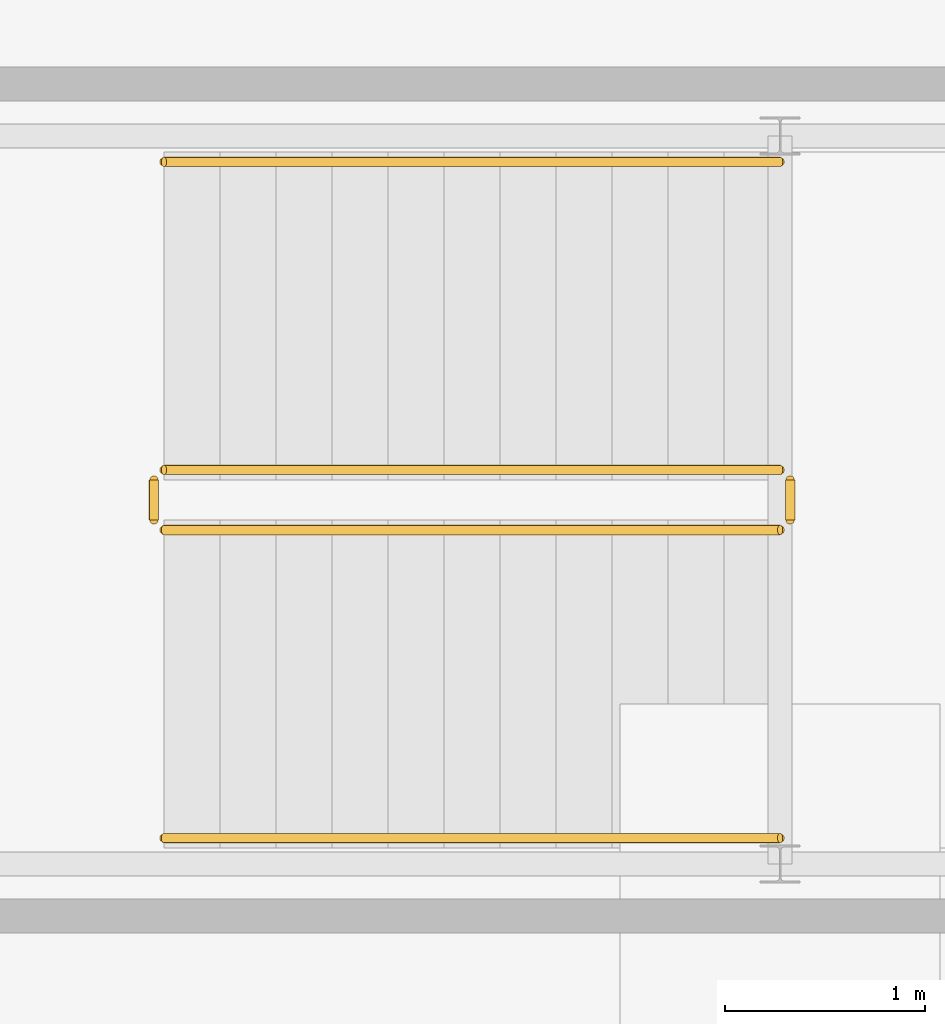
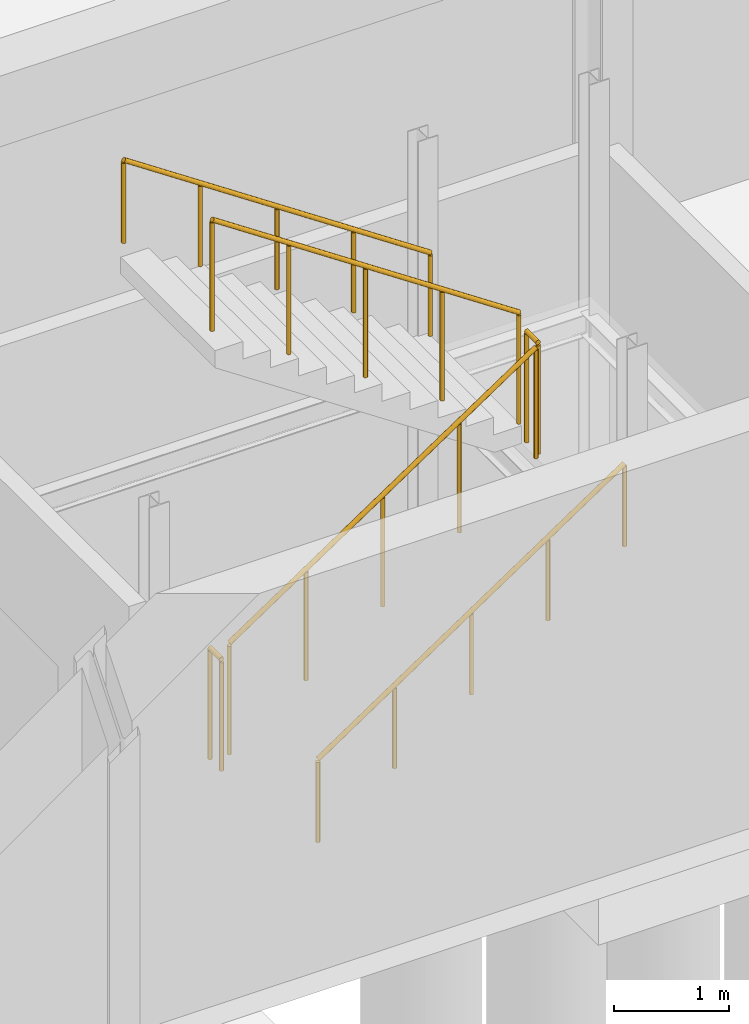
# One storey, part 46 of 47: 6 railings.
"""IFC4 building model written with IfcOpenShell, lengths in metres."""

import ifcopenshell
import ifcopenshell.guid

model = None  # the IFC model being written
_history = None  # IfcOwnerHistory: only IFC2X3 demands one
_inside = {}  # id of a spatial element -> (the spatial element, [elements in it])
_under = {}  # id of a project, library or spatial element -> (it, [spatial elements below it])
_declared = {}  # id of a project -> (the project, [libraries it declares])
_typed = {}  # id of a type object -> (the type object, [elements of that type])
_made_of = {}  # id of a material, layer set ... -> (it, [elements and type objects made of it])


def new_model(schema):
    """Start an empty IFC model of exactly this schema.

    Asked for "IFC4X3", IfcOpenShell would pick the latest addendum, in which some entities
    have other attributes; the version numbers below select the first issue.
    IFC2X3 requires an IfcOwnerHistory on every rooted entity: one is made here for all.
    """
    global model, _history
    if schema == "IFC4X3":
        model = ifcopenshell.file(schema_version=(4, 3, 0, 0))
    else:
        model = ifcopenshell.file(schema=schema)
    _inside.clear()
    _under.clear()
    _declared.clear()
    _typed.clear()
    _made_of.clear()
    _history = None
    if model.schema == "IFC2X3":
        org = make("IfcOrganization", Name="unknown")
        user = make(
            "IfcPersonAndOrganization",
            ThePerson=make("IfcPerson", FamilyName="unknown"),
            TheOrganization=org,
        )
        app = make(
            "IfcApplication",
            ApplicationDeveloper=org,
            Version="unknown",
            ApplicationFullName="unknown",
            ApplicationIdentifier="unknown",
        )
        _history = make(
            "IfcOwnerHistory",
            OwningUser=user,
            OwningApplication=app,
            ChangeAction="ADDED",
            CreationDate=0,
        )
    return model


def make(cls, **values):
    """One entity of the class cls with the attributes given. An attribute that is None is left unset."""
    return model.create_entity(
        cls, **{name: value for name, value in values.items() if value is not None}
    )


def rooted(cls, **values):
    """An entity with a GlobalId (a new one), such as an element, a storey or a relation."""
    return make(cls, GlobalId=ifcopenshell.guid.new(), OwnerHistory=_history, **values)


def si_unit(unit_type, name, prefix=None):
    """IfcSIUnit, for example si_unit("LENGTHUNIT", "METRE", prefix="MILLI")."""
    return make("IfcSIUnit", UnitType=unit_type, Prefix=prefix, Name=name)


def assignment(units):
    """IfcUnitAssignment: the units of a project."""
    return None if units is None else make("IfcUnitAssignment", Units=units)


def point(xyz):
    """IfcCartesianPoint."""
    return None if xyz is None else make("IfcCartesianPoint", Coordinates=xyz)


def direction(xyz):
    """IfcDirection."""
    return None if xyz is None else make("IfcDirection", DirectionRatios=xyz)


def frame(location, z_axis=None, x_axis=None):
    """IfcAxis2Placement3D, a coordinate frame: its origin and axes. An axis left out is left unset."""
    return make(
        "IfcAxis2Placement3D",
        Location=point(location),
        Axis=direction(z_axis),
        RefDirection=direction(x_axis),
    )


def frame_2d(location, x_axis=None):
    """IfcAxis2Placement2D, a coordinate frame in the plane: its origin and x axis."""
    return make(
        "IfcAxis2Placement2D", Location=point(location), RefDirection=direction(x_axis)
    )


def origin():
    """The frame at (0, 0, 0) with its axes left unset."""
    return frame((0.0, 0.0, 0.0))


def origin_2d():
    """The frame at (0, 0) in the plane with its x axis left unset."""
    return frame_2d((0.0, 0.0))


def place(relative_to, where):
    """IfcLocalPlacement: puts the frame where relative to a parent placement (None: the world)."""
    return make(
        "IfcLocalPlacement", PlacementRelTo=relative_to, RelativePlacement=where
    )


def context(
    kind, dimensions, precision=None, world=None, true_north=None, identifier=None
):
    """IfcGeometricRepresentationContext, for example the 3D "Model" context."""
    return make(
        "IfcGeometricRepresentationContext",
        ContextIdentifier=identifier,
        ContextType=kind,
        CoordinateSpaceDimension=dimensions,
        Precision=precision,
        WorldCoordinateSystem=world,
        TrueNorth=true_north,
    )


def subcontext(parent, identifier, kind, view, scale=None):
    """IfcGeometricRepresentationSubContext, for example "Body" below "Model"."""
    return make(
        "IfcGeometricRepresentationSubContext",
        ContextIdentifier=identifier,
        ContextType=kind,
        ParentContext=parent,
        TargetScale=scale,
        TargetView=view,
    )


def project(units=None, contexts=None):
    """IfcProject with its units and contexts."""
    return rooted(
        "IfcProject",
        Name="project",
        RepresentationContexts=contexts,
        UnitsInContext=assignment(units),
    )


def spatial(cls, under=None, at=None, **own):
    """A site, building, storey or space (cls), placed at a placement, below another one or the project."""
    s = rooted(cls, ObjectPlacement=at, **own)
    if under is not None:
        _under.setdefault(under.id(), (under, []))[1].append(s)
    return s


def profile(cls, at=None, kind="AREA", **sizes):
    """A parametric profile (cls). Its sizes go by their IFC names, for example OverallWidth=200.0."""
    return make(cls, ProfileType=kind, Position=at, **sizes)


def circle(**sizes):
    """IfcCircleProfileDef."""
    return profile("IfcCircleProfileDef", **sizes)


def extrude(swept, where, along, depth):
    """IfcExtrudedAreaSolid: the profile swept, set in the frame where, extruded along a direction by depth."""
    return make(
        "IfcExtrudedAreaSolid",
        SweptArea=swept,
        Position=where,
        ExtrudedDirection=direction(along),
        Depth=depth,
    )


def shape(context_of_items, identifier, shape_type, items):
    """IfcShapeRepresentation: the items that make up one representation, for example the "Body"."""
    return make(
        "IfcShapeRepresentation",
        ContextOfItems=context_of_items,
        RepresentationIdentifier=identifier,
        RepresentationType=shape_type,
        Items=items,
    )


def material(Name=None, Category=None):
    """IfcMaterial."""
    return make("IfcMaterial", Name=Name, Category=Category)


def made_of(thing, what):
    """Note that an element or type object is made of a material, layer set ...; save() writes the relation."""
    if what is not None:
        _made_of.setdefault(what.id(), (what, []))[1].append(thing)
    return thing


def type_object(cls, material=None, **own):
    """A type object (cls), such as IfcWallType, which elements share."""
    return made_of(rooted(cls, **own), material)


def element(
    cls,
    number,
    at=None,
    inside=None,
    cuts=None,
    type_object=None,
    material=None,
    context=None,
    identifier="Body",
    shape_type=None,
    held_by="IfcProductDefinitionShape",
    body=None,
    shapes=None,
    **own,
):
    """One element of the class cls, such as IfcWall. Its Tag is "e" and its number.

    at: its placement. inside: the storey or other place that contains it. cuts: it is an
    opening in that element (IfcRelVoidsElement). A single representation is given by context,
    identifier, shape_type and body (its items); several are given by shapes. held_by: the class
    of the entity that holds the representations. save() writes the other relations.
    """
    e = rooted(cls, Tag="e%d" % number, ObjectPlacement=at, **own)
    if body is not None:
        shapes = [shape(context, identifier, shape_type, body)]
    if shapes is not None:
        e.Representation = make(held_by, Representations=shapes)
    if inside is not None:
        _inside.setdefault(inside.id(), (inside, []))[1].append(e)
    if cuts is not None:
        rooted(
            "IfcRelVoidsElement", RelatingBuildingElement=cuts, RelatedOpeningElement=e
        )
    if type_object is not None:
        _typed.setdefault(type_object.id(), (type_object, []))[1].append(e)
    return made_of(e, material)


def aggregate(whole, parts):
    """IfcRelAggregates: a whole, such as a stair, and the parts it consists of."""
    return rooted("IfcRelAggregates", RelatingObject=whole, RelatedObjects=parts)


def save(model, path):
    """Write the relations noted so far, then the file.

    IfcRelAggregates (storeys below a building ...), IfcRelContainedInSpatialStructure (elements
    in a storey), IfcRelDefinesByType, IfcRelAssociatesMaterial and IfcRelDeclares: one each for
    every whole, place, type object, material and project.
    """
    for whole, parts in _under.values():
        aggregate(whole, parts)
    for where, things in _inside.values():
        rooted(
            "IfcRelContainedInSpatialStructure",
            RelatedElements=things,
            RelatingStructure=where,
        )
    for kind, things in _typed.values():
        rooted("IfcRelDefinesByType", RelatedObjects=things, RelatingType=kind)
    for what, things in _made_of.values():
        rooted("IfcRelAssociatesMaterial", RelatedObjects=things, RelatingMaterial=what)
    for by, libraries in _declared.values():
        rooted("IfcRelDeclares", RelatingContext=by, RelatedDefinitions=libraries)
    model.write(path)


model = new_model("IFC4")

# Units and contexts
model_context = context("Model", 3, precision=1e-05, world=origin(), true_north=direction((0.0, 1.0)))
body_context = subcontext(model_context, "Body", "Model", "MODEL_VIEW")
ifc_project = project(units=[si_unit("LENGTHUNIT", "METRE"), si_unit("AREAUNIT", "SQUARE_METRE"), si_unit("VOLUMEUNIT", "CUBIC_METRE"), si_unit("PLANEANGLEUNIT", "RADIAN"), si_unit("MASSUNIT", "GRAM", prefix="KILO")], contexts=[model_context])

# Site, building, storey
site_placement = place(None, origin())
site = spatial("IfcSite", under=ifc_project, at=site_placement, CompositionType="ELEMENT")
building_placement = place(site_placement, origin())
building = spatial("IfcBuilding", under=site, at=building_placement, Name="Alderhovde Museum", CompositionType="ELEMENT")
storey_placement = place(building_placement, frame((0.0, 0.0, -4.5)))
storey = spatial("IfcBuildingStorey", under=building, at=storey_placement, Name="B1", CompositionType="ELEMENT", Elevation=-4.5)

# Railings
ifc_material_1 = material(Name="Painted Steel S355 Guardrail", Category="steel")
railing_type_1 = type_object("IfcRailingType", Name="RL-GUARD-1200", PredefinedType="GUARDRAIL", material=ifc_material_1)
railing_1_placement = place(storey_placement, frame((156.43994140625, 34.7900390625, 0.1875)))
element("IfcRailing", 1, at=railing_1_placement, inside=storey, type_object=railing_type_1, Name="B1 ST7 stair guard 1", PredefinedType="GUARDRAIL", context=body_context, shape_type="SweptSolid", body=[
    extrude(circle(Radius=0.02392578125, at=origin_2d()), frame((0.0, 0.0, 1.17578125), z_axis=(0.830913701846, 0.0, 0.55640131208), x_axis=(0.0, 1.0, 0.0)), (0.0, 0.0, 1.0), 3.706787109375),
    extrude(circle(Radius=0.02099609375, at=origin_2d()), origin(), (0.0, 0.0, 1.0), 1.15185546875),
    extrude(circle(Radius=0.02099609375, at=origin_2d()), frame((0.77001953125, 0.0, 0.515625)), (0.0, 0.0, 1.0), 1.15185546875),
    extrude(circle(Radius=0.02099609375, at=origin_2d()), frame((1.5400390625, 0.0, 1.03125)), (0.0, 0.0, 1.0), 1.15185546875),
    extrude(circle(Radius=0.02099609375, at=origin_2d()), frame((2.31005859375, 0.0, 1.546875)), (0.0, 0.0, 1.0), 1.15185546875),
    extrude(circle(Radius=0.02099609375, at=origin_2d()), frame((3.080078125, 0.0, 2.0625)), (0.0, 0.0, 1.0), 1.15185546875),
])
railing_2_placement = place(storey_placement, frame((159.570068359375, 34.840087890625, 2.25)))
element("IfcRailing", 2, at=railing_2_placement, inside=storey, type_object=railing_type_1, Name="B1 ST7 stair guard 2", PredefinedType="GUARDRAIL", context=body_context, shape_type="SweptSolid", body=[
    extrude(circle(Radius=0.02392578125, at=origin_2d()), frame((0.0, 0.0, 1.17578125), z_axis=(0.0, 1.0, 0.0), x_axis=(-1.0, 0.0, 0.0)), (0.0, 0.0, 1.0), 0.199951171875),
    extrude(circle(Radius=0.02099609375, at=origin_2d()), origin(), (0.0, 0.0, 1.0), 1.15185546875),
    extrude(circle(Radius=0.02099609375, at=origin_2d()), frame((0.0, 0.199951171875, 0.0)), (0.0, 0.0, 1.0), 1.15185546875),
])
railing_3_placement = place(storey_placement, frame((159.52001953125, 35.090087890625, 2.4375)))
element("IfcRailing", 3, at=railing_3_placement, inside=storey, type_object=railing_type_1, Name="B1 ST7 stair guard 3", PredefinedType="GUARDRAIL", context=body_context, shape_type="SweptSolid", body=[
    extrude(circle(Radius=0.02392578125, at=origin_2d()), frame((0.0, 0.0, 1.17578125), z_axis=(-0.830913701846, 0.0, 0.55640131208), x_axis=(0.0, -1.0, 0.0)), (0.0, 0.0, 1.0), 3.706787109375),
    extrude(circle(Radius=0.02099609375, at=origin_2d()), origin(), (0.0, 0.0, 1.0), 1.15185546875),
    extrude(circle(Radius=0.02099609375, at=origin_2d()), frame((-0.77001953125, 0.0, 0.515625)), (0.0, 0.0, 1.0), 1.15185546875),
    extrude(circle(Radius=0.02099609375, at=origin_2d()), frame((-1.5400390625, 0.0, 1.03125)), (0.0, 0.0, 1.0), 1.15185546875),
    extrude(circle(Radius=0.02099609375, at=origin_2d()), frame((-2.31005859375, 0.0, 1.546875)), (0.0, 0.0, 1.0), 1.15185546875),
    extrude(circle(Radius=0.02099609375, at=origin_2d()), frame((-3.080078125, 0.0, 2.0625)), (0.0, 0.0, 1.0), 1.15185546875),
])
railing_4_placement = place(storey_placement, frame((156.389892578125, 34.840087890625, 0.0)))
element("IfcRailing", 4, at=railing_4_placement, inside=storey, type_object=railing_type_1, Name="B1 ST7 stair guard 4", PredefinedType="GUARDRAIL", context=body_context, shape_type="SweptSolid", body=[
    extrude(circle(Radius=0.02392578125, at=origin_2d()), frame((0.0, 0.0, 1.17578125), z_axis=(0.0, 1.0, 0.0), x_axis=(-1.0, 0.0, 0.0)), (0.0, 0.0, 1.0), 0.199951171875),
    extrude(circle(Radius=0.02099609375, at=origin_2d()), origin(), (0.0, 0.0, 1.0), 1.15185546875),
    extrude(circle(Radius=0.02099609375, at=origin_2d()), frame((0.0, 0.199951171875, 0.0)), (0.0, 0.0, 1.0), 1.15185546875),
])
ifc_material_2 = material(Name="Brushed Stainless Steel Handrail", Category="steel")
railing_type_2 = type_object("IfcRailingType", Name="RL-HANDRAIL-900", PredefinedType="HANDRAIL", material=ifc_material_2)
railing_5_placement = place(storey_placement, frame((156.43994140625, 33.25, 0.1875)))
element("IfcRailing", 5, at=railing_5_placement, inside=storey, type_object=railing_type_2, Name="B1 ST7 stair handrail 1", PredefinedType="HANDRAIL", context=body_context, shape_type="SweptSolid", body=[
    extrude(circle(Radius=0.02392578125, at=origin_2d()), frame((0.0, 0.0, 0.8759765625), z_axis=(0.830913701846, 0.0, 0.55640131208), x_axis=(0.0, 1.0, 0.0)), (0.0, 0.0, 1.0), 3.706787109375),
    extrude(circle(Radius=0.02099609375, at=origin_2d()), origin(), (0.0, 0.0, 1.0), 0.851806640625),
    extrude(circle(Radius=0.02099609375, at=origin_2d()), frame((0.77001953125, 0.0, 0.515625)), (0.0, 0.0, 1.0), 0.851806640625),
    extrude(circle(Radius=0.02099609375, at=origin_2d()), frame((1.5400390625, 0.0, 1.03125)), (0.0, 0.0, 1.0), 0.851806640625),
    extrude(circle(Radius=0.02099609375, at=origin_2d()), frame((2.31005859375, 0.0, 1.546875)), (0.0, 0.0, 1.0), 0.851806640625),
    extrude(circle(Radius=0.02099609375, at=origin_2d()), frame((3.080078125, 0.0, 2.0625)), (0.0, 0.0, 1.0), 0.851806640625),
])
railing_6_placement = place(storey_placement, frame((159.52001953125, 36.6298828125, 2.4375)))
element("IfcRailing", 6, at=railing_6_placement, inside=storey, type_object=railing_type_2, Name="B1 ST7 stair handrail 2", PredefinedType="HANDRAIL", context=body_context, shape_type="SweptSolid", body=[
    extrude(circle(Radius=0.02392578125, at=origin_2d()), frame((0.0, 0.0, 0.8759765625), z_axis=(-0.830913701846, 0.0, 0.55640131208), x_axis=(0.0, -1.0, 0.0)), (0.0, 0.0, 1.0), 3.706787109375),
    extrude(circle(Radius=0.02099609375, at=origin_2d()), origin(), (0.0, 0.0, 1.0), 0.851806640625),
    extrude(circle(Radius=0.02099609375, at=origin_2d()), frame((-0.77001953125, 0.0, 0.515625)), (0.0, 0.0, 1.0), 0.851806640625),
    extrude(circle(Radius=0.02099609375, at=origin_2d()), frame((-1.5400390625, 0.0, 1.03125)), (0.0, 0.0, 1.0), 0.851806640625),
    extrude(circle(Radius=0.02099609375, at=origin_2d()), frame((-2.31005859375, 0.0, 1.546875)), (0.0, 0.0, 1.0), 0.851806640625),
    extrude(circle(Radius=0.02099609375, at=origin_2d()), frame((-3.080078125, 0.0, 2.0625)), (0.0, 0.0, 1.0), 0.851806640625),
])

save(model, "model.ifc")
